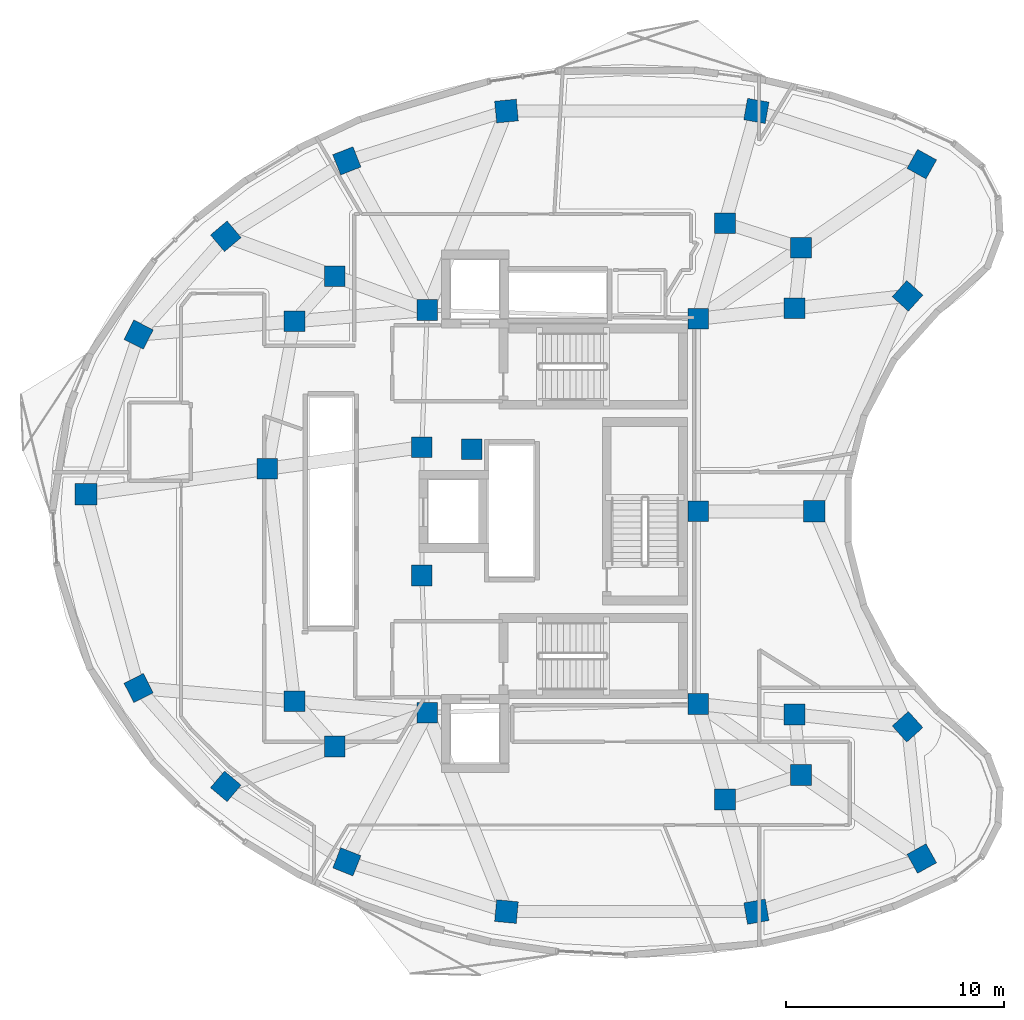
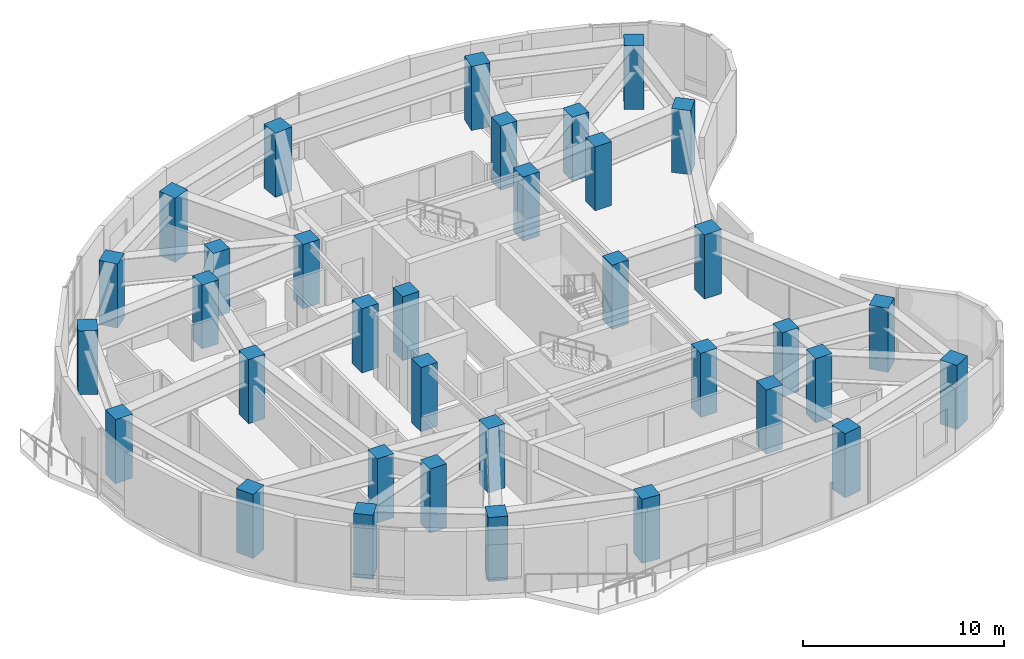
# One storey, part 1 of 12: 35 columns.
"""IFC4 building model written with IfcOpenShell, lengths in metres."""

from ifc_helpers import new_model, si_unit, direction, frame, origin, origin_2d, place, context, subcontext, project, spatial, rectangle, extrude, material, material_profile, profile_set, type_object, element, save


model = new_model("IFC4")

# Units and contexts
model_context = context("Model", 3, precision=1e-05, world=origin(), true_north=direction((0.0, 1.0)))
body_context = subcontext(model_context, "Body", "Model", "MODEL_VIEW")
ifc_project = project(units=[si_unit("LENGTHUNIT", "METRE"), si_unit("AREAUNIT", "SQUARE_METRE"), si_unit("VOLUMEUNIT", "CUBIC_METRE"), si_unit("PLANEANGLEUNIT", "RADIAN"), si_unit("MASSUNIT", "GRAM", prefix="KILO")], contexts=[model_context])

# Site, building, storey
site_placement = place(None, origin())
site = spatial("IfcSite", under=ifc_project, at=site_placement, CompositionType="ELEMENT")
building_placement = place(site_placement, origin())
building = spatial("IfcBuilding", under=site, at=building_placement, Name="Korentha Bioscience Tower", CompositionType="ELEMENT")
storey_placement = place(building_placement, frame((0.0, 0.0, 196.199951171875)))
storey = spatial("IfcBuildingStorey", under=building, at=storey_placement, Name="L45", CompositionType="ELEMENT", Elevation=196.199951171875)

# Columns
ifc_material = material(Name="Concrete C65", Category="concrete")
ifc_material_profile_1 = material_profile(ifc_material, rectangle(XDim=0.949951171875, YDim=0.949951171875, at=origin_2d()), Name="Concrete C65")
ifc_profile_set_1 = profile_set([ifc_material_profile_1], Name="Concrete C65 (COL-CP09)")
column_type_1 = type_object("IfcColumnType", Name="Core Pilaster Column RC 950x950", PredefinedType="PILASTER", material=ifc_profile_set_1)
for number, where, z_axis, x_axis, name in (
    (1, (37.550048828125, 35.85009765625, -0.00048828125), (0.0, 0.0, 1.0), (1.0, 0.0, 0.0), "L45 Core Pilaster CP-01"),
    (2, (25.10009765625, 36.25, -0.00048828125), (0.0, 0.0, 1.0), (1.0, 0.0, 0.0), "L45 Core Pilaster CP-02"),
    (3, (24.85009765625, 29.949951171875, -0.00048828125), (0.0, 0.0, 1.0), (1.0, 0.0, 0.0), "L45 Core Pilaster CP-03"),
    (4, (27.14990234375, 29.85009765625, -0.00048828125), (0.0, 0.0, 1.0), (1.0, 0.0, 0.0), "L45 Core Pilaster CP-04"),
    (5, (24.85009765625, 24.050048828125, -0.00048828125), (0.0, 0.0, 1.0), (1.0, 0.0, 0.0), "L45 Core Pilaster CP-05"),
    (6, (25.10009765625, 17.75, -0.00048828125), (0.0, 0.0, 1.0), (1.0, 0.0, 0.0), "L45 Core Pilaster CP-06"),
    (7, (37.550048828125, 18.14990234375, -0.00048828125), (0.0, 0.0, 1.0), (1.0, 0.0, 0.0), "L45 Core Pilaster CP-07"),
    (8, (37.550048828125, 27.0, -0.00048828125), (0.0, 0.0, 1.0), (1.0, 0.0, 0.0), "L45 Core Pilaster CP-08"),
):
    element("IfcColumn", number, at=place(storey_placement, frame(where, z_axis=z_axis, x_axis=x_axis)), inside=storey, type_object=column_type_1, Name=name, PredefinedType="PILASTER", context=body_context, shape_type="SweptSolid", body=[
        extrude(rectangle(XDim=0.949951171875, YDim=0.949951171875, at=origin_2d()), origin(), (0.0, 0.0, 1.0), 3.901123046875),
    ])
ifc_material_profile_2 = material_profile(ifc_material, rectangle(XDim=0.949951171875, YDim=0.949951171875, at=origin_2d()), Name="Concrete C65")
ifc_profile_set_2 = profile_set([ifc_material_profile_2], Name="Concrete C65 (COL-MR09)")
column_type_2 = type_object("IfcColumnType", Name="Mid-Ring Lab Column RC 950x950", PredefinedType="COLUMN", material=ifc_profile_set_2)
for number, where, z_axis, x_axis, name in (
    (9, (42.274658203125, 39.1171875, -0.00048828125), (0.0, 0.0, 1.0), (1.0, 0.0, 0.0), "L45 Mid-Ring Column 01"),
    (10, (38.77880859375, 40.2412109375, -0.00048828125), (0.0, 0.0, 1.0), (1.0, 0.0, 0.0), "L45 Mid-Ring Column 02"),
    (11, (20.84228515625, 37.807861328125, -0.00048828125), (0.0, 0.0, 1.0), (1.0, 0.0, 0.0), "L45 Mid-Ring Column 05"),
    (12, (18.99951171875, 35.72998046875, -0.00048828125), (0.0, 0.0, 1.0), (1.0, 0.0, 0.0), "L45 Mid-Ring Column 06"),
    (13, (17.75341796875, 28.95458984375, -0.00048828125), (0.0, 0.0, 1.0), (1.0, 0.0, 0.0), "L45 Mid-Ring Column 07"),
    (14, (18.99951171875, 18.27001953125, -0.00048828125), (0.0, 0.0, 1.0), (1.0, 0.0, 0.0), "L45 Mid-Ring Column 08"),
    (15, (20.84228515625, 16.192138671875, -0.00048828125), (0.0, 0.0, 1.0), (1.0, 0.0, 0.0), "L45 Mid-Ring Column 09"),
    (16, (38.77880859375, 13.7587890625, -0.00048828125), (0.0, 0.0, 1.0), (1.0, 0.0, 0.0), "L45 Mid-Ring Column 12"),
    (17, (42.274658203125, 14.8828125, -0.00048828125), (0.0, 0.0, 1.0), (1.0, 0.0, 0.0), "L45 Mid-Ring Column 13"),
    (18, (41.97412109375, 17.66796875, -0.00048828125), (0.0, 0.0, 1.0), (1.0, 0.0, 0.0), "L45 Mid-Ring Column 14"),
    (19, (41.97412109375, 36.33203125, -0.00048828125), (0.0, 0.0, 1.0), (1.0, 0.0, 0.0), "L45 Mid-Ring Column 16"),
):
    element("IfcColumn", number, at=place(storey_placement, frame(where, z_axis=z_axis, x_axis=x_axis)), inside=storey, type_object=column_type_2, Name=name, PredefinedType="COLUMN", context=body_context, shape_type="SweptSolid", body=[
        extrude(rectangle(XDim=0.949951171875, YDim=0.949951171875, at=origin_2d()), origin(), (0.0, 0.0, 1.0), 3.901123046875),
    ])
ifc_material_profile_3 = material_profile(ifc_material, rectangle(XDim=1.0, YDim=1.0, at=origin_2d()), Name="Concrete C65")
ifc_profile_set_3 = profile_set([ifc_material_profile_3], Name="Concrete C65 (COL-P10)")
column_type_3 = type_object("IfcColumnType", Name="Perimeter Column RC 1000x1000", PredefinedType="COLUMN", material=ifc_profile_set_3)
for number, where, z_axis, x_axis, name in (
    (20, (47.821044921875, 42.95263671875, -0.00048828125), (0.0, 0.0, 1.0), (-0.874535078577, 0.484962262797, 0.0), "L45 Perimeter Column 01"),
    (21, (40.22119140625, 45.39599609375, -0.00048828125), (0.0, 0.0, 1.0), (-0.984868307662, 0.173304404339, 0.0), "L45 Perimeter Column 02"),
    (22, (28.739501953125, 45.390380859375, -0.00048828125), (0.0, 0.0, 1.0), (0.995462868748, 0.095150811579, 0.0), "L45 Perimeter Column 03"),
    (23, (21.405517578125, 43.102783203125, -0.00048828125), (0.0, 0.0, 1.0), (0.930225540858, 0.366988341962, 0.0), "L45 Perimeter Column 04"),
    (24, (15.843994140625, 39.63671875, -0.00048828125), (0.0, 0.0, 1.0), (0.764246456939, 0.644924300253, 0.0), "L45 Perimeter Column 05"),
    (25, (11.837890625, 35.119384765625, -0.00048828125), (0.0, 0.0, 1.0), (0.453057191132, 0.891481453292, 0.0), "L45 Perimeter Column 06"),
    (26, (9.422607421875, 27.785888671875, -0.00048828125), (0.0, 0.0, 1.0), (0.0, 1.0, 0.0), "L45 Perimeter Column 07"),
    (27, (11.837890625, 18.880615234375, -0.00048828125), (0.0, 0.0, 1.0), (-0.453057191132, 0.891481453292, 0.0), "L45 Perimeter Column 08"),
    (28, (15.843994140625, 14.36328125, -0.00048828125), (0.0, 0.0, 1.0), (-0.764246456939, 0.644924300253, 0.0), "L45 Perimeter Column 09"),
    (29, (21.405517578125, 10.897216796875, -0.00048828125), (0.0, 0.0, 1.0), (-0.930225540858, 0.366988341962, 0.0), "L45 Perimeter Column 10"),
    (30, (28.739501953125, 8.609619140625, -0.00048828125), (0.0, 0.0, 1.0), (-0.995462868748, 0.095150811579, 0.0), "L45 Perimeter Column 11"),
    (31, (40.22119140625, 8.60400390625, -0.00048828125), (0.0, 0.0, 1.0), (0.984868307662, 0.173304404339, 0.0), "L45 Perimeter Column 12"),
    (32, (47.821044921875, 11.04736328125, -0.00048828125), (0.0, 0.0, 1.0), (0.874535078577, 0.484962262797, 0.0), "L45 Perimeter Column 13"),
    (33, (47.16748046875, 17.10205078125, -0.00048828125), (0.0, 0.0, 1.0), (-0.669130606359, 0.743144825477, 0.0), "L45 Perimeter Column 14"),
    (34, (42.8818359375, 27.0, -0.00048828125), (0.0, 0.0, 1.0), (0.0, 1.0, 0.0), "L45 Perimeter Column 15"),
    (35, (47.16748046875, 36.89794921875, -0.00048828125), (0.0, 0.0, 1.0), (0.669130606359, 0.743144825477, 0.0), "L45 Perimeter Column 16"),
):
    element("IfcColumn", number, at=place(storey_placement, frame(where, z_axis=z_axis, x_axis=x_axis)), inside=storey, type_object=column_type_3, Name=name, PredefinedType="COLUMN", context=body_context, shape_type="SweptSolid", body=[
        extrude(rectangle(XDim=1.0, YDim=1.0, at=origin_2d()), origin(), (0.0, 0.0, 1.0), 3.901123046875),
    ])

save(model, "model.ifc")
